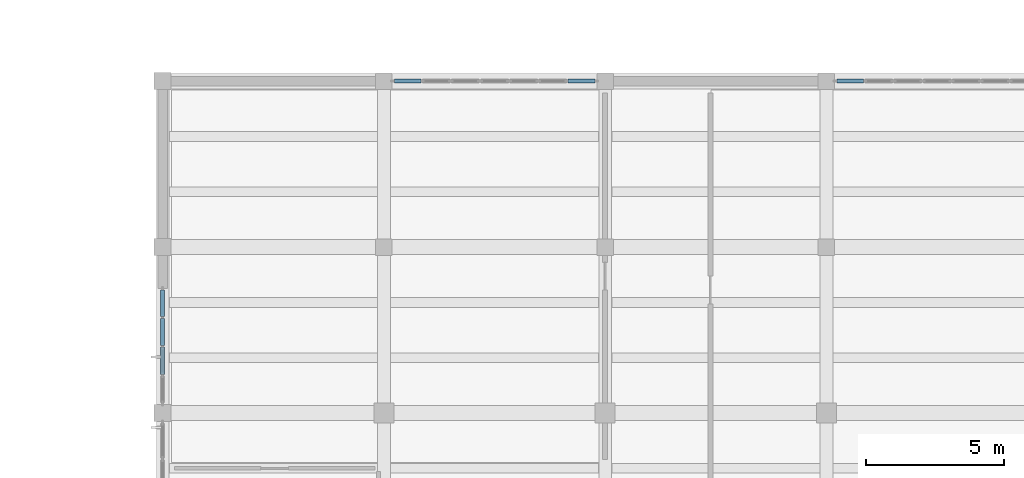
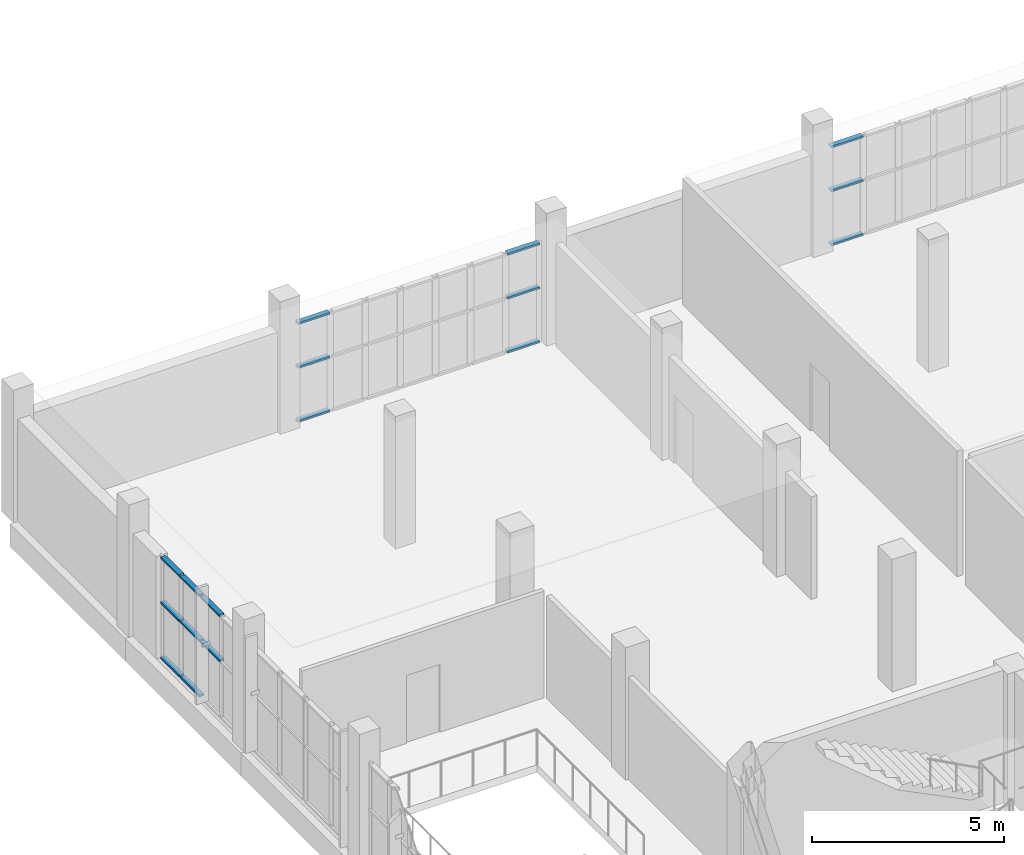
# One storey, part 38 of 85: 17 members, 3 elements without a shape of their own.
"""IFC4 building model written with IfcOpenShell, lengths in metres."""

from ifc_helpers import new_model, si_unit, direction, frame, origin, origin_2d, place, context, subcontext, project, spatial, rectangle, extrude, material, layer, layer_set, material_profile, profile_set, type_object, element, aggregate, save


model = new_model("IFC4")

# Units and contexts
model_context = context("Model", 3, precision=1e-05, world=origin(), true_north=direction((0.0, 1.0)))
body_context = subcontext(model_context, "Body", "Model", "MODEL_VIEW")
ifc_project = project(units=[si_unit("LENGTHUNIT", "METRE"), si_unit("AREAUNIT", "SQUARE_METRE"), si_unit("VOLUMEUNIT", "CUBIC_METRE"), si_unit("PLANEANGLEUNIT", "RADIAN"), si_unit("MASSUNIT", "GRAM", prefix="KILO")], contexts=[model_context])

# Site, building, storey
site_placement = place(None, origin())
site = spatial("IfcSite", under=ifc_project, at=site_placement, CompositionType="ELEMENT")
building_placement = place(site_placement, origin())
building = spatial("IfcBuilding", under=site, at=building_placement, Name="Solvane Community Centre", CompositionType="ELEMENT")
storey_placement = place(building_placement, frame((0.0, 0.0, 5.39990234375)))
storey = spatial("IfcBuildingStorey", under=building, at=storey_placement, Name="L01", CompositionType="ELEMENT", Elevation=5.39990234375)

# Curtain wall, members
ifc_material = material(Name="Anodised bronze aluminium AW-6063 T6", Category="aluminium")
ifc_layer_1 = layer(ifc_material, 0.18994140625)
ifc_layer_set_1 = layer_set([ifc_layer_1], Name="Anodised bronze aluminium AW-6063 T6")
curtain_wall_type_1 = type_object("IfcCurtainWallType", Name="Boulevard Bronze Vision Curtain Wall [42x32dm]", PredefinedType="NOTDEFINED", material=ifc_layer_set_1)
curtain_wall_1_placement = place(storey_placement, origin())
curtain_wall_1 = element("IfcCurtainWall", 1, at=curtain_wall_1_placement, inside=storey, type_object=curtain_wall_type_1, Name="Curtain Wall CW-L01-1080_483-117", PredefinedType="NOTDEFINED")
ifc_material_profile = material_profile(ifc_material, rectangle(XDim=0.14990234375, YDim=0.06005859375, at=origin_2d()), Name="CW-T 60x150")
ifc_profile_set = profile_set([ifc_material_profile], Name="Anodised bronze aluminium AW-6063 T6")
member_type = type_object("IfcMemberType", Name="Boulevard Transom 60x150", PredefinedType="USERDEFINED", material=ifc_profile_set)
member_1_placement = place(storey_placement, frame((108.0, 49.39501953125, 1.78515625), z_axis=(0.0, 1.0, 0.0), x_axis=(-1.0, 0.0, 0.0)))
member_1 = element("IfcMember", 2, at=member_1_placement, type_object=member_type, Name="CW02-42x32 transom 2.2", ObjectType="TRANSOM", PredefinedType="USERDEFINED", context=body_context, shape_type="SweptSolid", body=[
    extrude(rectangle(XDim=0.14990234375, YDim=0.06005859375, at=origin_2d()), origin(), (0.0, 0.0, 1.0), 0.98486328125),
])
member_2_placement = place(storey_placement, frame((108.0, 49.39501953125, 3.215087890625), z_axis=(0.0, 1.0, 0.0), x_axis=(-1.0, 0.0, 0.0)))
member_2 = element("IfcMember", 3, at=member_2_placement, type_object=member_type, Name="CW02-42x32 transom 2.3", ObjectType="TRANSOM", PredefinedType="USERDEFINED", context=body_context, shape_type="SweptSolid", body=[
    extrude(rectangle(XDim=0.14990234375, YDim=0.06005859375, at=origin_2d()), origin(), (0.0, 0.0, 1.0), 0.98486328125),
])
member_3_placement = place(storey_placement, frame((108.0, 50.43994140625, 0.030029296875), z_axis=(0.0, 1.0, 0.0), x_axis=(-1.0, 0.0, 0.0)))
member_3 = element("IfcMember", 4, at=member_3_placement, type_object=member_type, Name="CW02-42x32 transom 3.1", ObjectType="TRANSOM", PredefinedType="USERDEFINED", context=body_context, shape_type="SweptSolid", body=[
    extrude(rectangle(XDim=0.14990234375, YDim=0.06005859375, at=origin_2d()), origin(), (0.0, 0.0, 1.0), 0.985107421875),
])
member_4_placement = place(storey_placement, frame((108.0, 50.43994140625, 1.78515625), z_axis=(0.0, 1.0, 0.0), x_axis=(-1.0, 0.0, 0.0)))
member_4 = element("IfcMember", 5, at=member_4_placement, type_object=member_type, Name="CW02-42x32 transom 3.2", ObjectType="TRANSOM", PredefinedType="USERDEFINED", context=body_context, shape_type="SweptSolid", body=[
    extrude(rectangle(XDim=0.14990234375, YDim=0.06005859375, at=origin_2d()), origin(), (0.0, 0.0, 1.0), 0.985107421875),
])
member_5_placement = place(storey_placement, frame((108.0, 50.43994140625, 3.215087890625), z_axis=(0.0, 1.0, 0.0), x_axis=(-1.0, 0.0, 0.0)))
member_5 = element("IfcMember", 6, at=member_5_placement, type_object=member_type, Name="CW02-42x32 transom 3.3", ObjectType="TRANSOM", PredefinedType="USERDEFINED", context=body_context, shape_type="SweptSolid", body=[
    extrude(rectangle(XDim=0.14990234375, YDim=0.06005859375, at=origin_2d()), origin(), (0.0, 0.0, 1.0), 0.985107421875),
])
member_6_placement = place(storey_placement, frame((108.0, 51.485107421875, 0.030029296875), z_axis=(0.0, 1.0, 0.0), x_axis=(-1.0, 0.0, 0.0)))
member_6 = element("IfcMember", 7, at=member_6_placement, type_object=member_type, Name="CW02-42x32 transom 4.1", ObjectType="TRANSOM", PredefinedType="USERDEFINED", context=body_context, shape_type="SweptSolid", body=[
    extrude(rectangle(XDim=0.14990234375, YDim=0.06005859375, at=origin_2d()), origin(), (0.0, 0.0, 1.0), 0.954833984375),
])
member_7_placement = place(storey_placement, frame((108.0, 51.485107421875, 1.78515625), z_axis=(0.0, 1.0, 0.0), x_axis=(-1.0, 0.0, 0.0)))
member_7 = element("IfcMember", 8, at=member_7_placement, type_object=member_type, Name="CW02-42x32 transom 4.2", ObjectType="TRANSOM", PredefinedType="USERDEFINED", context=body_context, shape_type="SweptSolid", body=[
    extrude(rectangle(XDim=0.14990234375, YDim=0.06005859375, at=origin_2d()), origin(), (0.0, 0.0, 1.0), 0.954833984375),
])
member_8_placement = place(storey_placement, frame((108.0, 51.485107421875, 3.215087890625), z_axis=(0.0, 1.0, 0.0), x_axis=(-1.0, 0.0, 0.0)))
member_8 = element("IfcMember", 9, at=member_8_placement, type_object=member_type, Name="CW02-42x32 transom 4.3", ObjectType="TRANSOM", PredefinedType="USERDEFINED", context=body_context, shape_type="SweptSolid", body=[
    extrude(rectangle(XDim=0.14990234375, YDim=0.06005859375, at=origin_2d()), origin(), (0.0, 0.0, 1.0), 0.954833984375),
])
aggregate(curtain_wall_1, [member_1, member_2, member_3, member_4, member_5, member_6, member_7, member_8])

ifc_layer_2 = layer(ifc_material, 0.18994140625)
ifc_layer_set_2 = layer_set([ifc_layer_2], Name="Anodised bronze aluminium AW-6063 T6")
curtain_wall_type_2 = type_object("IfcCurtainWallType", Name="Boulevard Bronze Vision Curtain Wall [74x32dm]", PredefinedType="NOTDEFINED", material=ifc_layer_set_2)
curtain_wall_2_placement = place(storey_placement, origin())
curtain_wall_2 = element("IfcCurtainWall", 10, at=curtain_wall_2_placement, inside=storey, type_object=curtain_wall_type_2, Name="Curtain Wall CW-L01-1163_600-118", PredefinedType="NOTDEFINED")
member_9_placement = place(storey_placement, frame((116.375, 60.0, 0.030029296875), z_axis=(1.0, 0.0, 0.0), x_axis=(0.0, 1.0, 0.0)))
member_9 = element("IfcMember", 11, at=member_9_placement, type_object=member_type, Name="CW02-74x32 transom 1.1", ObjectType="TRANSOM", PredefinedType="USERDEFINED", context=body_context, shape_type="SweptSolid", body=[
    extrude(rectangle(XDim=0.14990234375, YDim=0.06005859375, at=origin_2d()), origin(), (0.0, 0.0, 1.0), 0.962890625),
])
member_10_placement = place(storey_placement, frame((116.375, 60.0, 1.7412109375), z_axis=(1.0, 0.0, 0.0), x_axis=(0.0, 1.0, 0.0)))
member_10 = element("IfcMember", 12, at=member_10_placement, type_object=member_type, Name="CW02-74x32 transom 1.2", ObjectType="TRANSOM", PredefinedType="USERDEFINED", context=body_context, shape_type="SweptSolid", body=[
    extrude(rectangle(XDim=0.14990234375, YDim=0.06005859375, at=origin_2d()), origin(), (0.0, 0.0, 1.0), 0.962890625),
])
member_11_placement = place(storey_placement, frame((116.375, 60.0, 3.135009765625), z_axis=(1.0, 0.0, 0.0), x_axis=(0.0, 1.0, 0.0)))
member_11 = element("IfcMember", 13, at=member_11_placement, type_object=member_type, Name="CW02-74x32 transom 1.3", ObjectType="TRANSOM", PredefinedType="USERDEFINED", context=body_context, shape_type="SweptSolid", body=[
    extrude(rectangle(XDim=0.14990234375, YDim=0.06005859375, at=origin_2d()), origin(), (0.0, 0.0, 1.0), 0.962890625),
])
member_12_placement = place(storey_placement, frame((122.662109375, 60.0, 0.030029296875), z_axis=(1.0, 0.0, 0.0), x_axis=(0.0, 1.0, 0.0)))
member_12 = element("IfcMember", 14, at=member_12_placement, type_object=member_type, Name="CW02-74x32 transom 7.1", ObjectType="TRANSOM", PredefinedType="USERDEFINED", context=body_context, shape_type="SweptSolid", body=[
    extrude(rectangle(XDim=0.14990234375, YDim=0.06005859375, at=origin_2d()), origin(), (0.0, 0.0, 1.0), 0.962890625),
])
member_13_placement = place(storey_placement, frame((122.662109375, 60.0, 1.7412109375), z_axis=(1.0, 0.0, 0.0), x_axis=(0.0, 1.0, 0.0)))
member_13 = element("IfcMember", 15, at=member_13_placement, type_object=member_type, Name="CW02-74x32 transom 7.2", ObjectType="TRANSOM", PredefinedType="USERDEFINED", context=body_context, shape_type="SweptSolid", body=[
    extrude(rectangle(XDim=0.14990234375, YDim=0.06005859375, at=origin_2d()), origin(), (0.0, 0.0, 1.0), 0.962890625),
])
member_14_placement = place(storey_placement, frame((122.662109375, 60.0, 3.135009765625), z_axis=(1.0, 0.0, 0.0), x_axis=(0.0, 1.0, 0.0)))
member_14 = element("IfcMember", 16, at=member_14_placement, type_object=member_type, Name="CW02-74x32 transom 7.3", ObjectType="TRANSOM", PredefinedType="USERDEFINED", context=body_context, shape_type="SweptSolid", body=[
    extrude(rectangle(XDim=0.14990234375, YDim=0.06005859375, at=origin_2d()), origin(), (0.0, 0.0, 1.0), 0.962890625),
])
aggregate(curtain_wall_2, [member_9, member_10, member_11, member_12, member_13, member_14])

curtain_wall_3_placement = place(storey_placement, origin())
curtain_wall_3 = element("IfcCurtainWall", 17, at=curtain_wall_3_placement, inside=storey, type_object=curtain_wall_type_2, Name="Curtain Wall CW-L01-1323_600-119", PredefinedType="NOTDEFINED")
member_15_placement = place(storey_placement, frame((132.375, 60.0, 0.030029296875), z_axis=(1.0, 0.0, 0.0), x_axis=(0.0, 1.0, 0.0)))
member_15 = element("IfcMember", 18, at=member_15_placement, type_object=member_type, Name="CW02-74x32 transom 1.1", ObjectType="TRANSOM", PredefinedType="USERDEFINED", context=body_context, shape_type="SweptSolid", body=[
    extrude(rectangle(XDim=0.14990234375, YDim=0.06005859375, at=origin_2d()), origin(), (0.0, 0.0, 1.0), 0.962890625),
])
member_16_placement = place(storey_placement, frame((132.375, 60.0, 1.7412109375), z_axis=(1.0, 0.0, 0.0), x_axis=(0.0, 1.0, 0.0)))
member_16 = element("IfcMember", 19, at=member_16_placement, type_object=member_type, Name="CW02-74x32 transom 1.2", ObjectType="TRANSOM", PredefinedType="USERDEFINED", context=body_context, shape_type="SweptSolid", body=[
    extrude(rectangle(XDim=0.14990234375, YDim=0.06005859375, at=origin_2d()), origin(), (0.0, 0.0, 1.0), 0.962890625),
])
member_17_placement = place(storey_placement, frame((132.375, 60.0, 3.135009765625), z_axis=(1.0, 0.0, 0.0), x_axis=(0.0, 1.0, 0.0)))
member_17 = element("IfcMember", 20, at=member_17_placement, type_object=member_type, Name="CW02-74x32 transom 1.3", ObjectType="TRANSOM", PredefinedType="USERDEFINED", context=body_context, shape_type="SweptSolid", body=[
    extrude(rectangle(XDim=0.14990234375, YDim=0.06005859375, at=origin_2d()), origin(), (0.0, 0.0, 1.0), 0.962890625),
])
aggregate(curtain_wall_3, [member_15, member_16, member_17])

save(model, "model.ifc")
